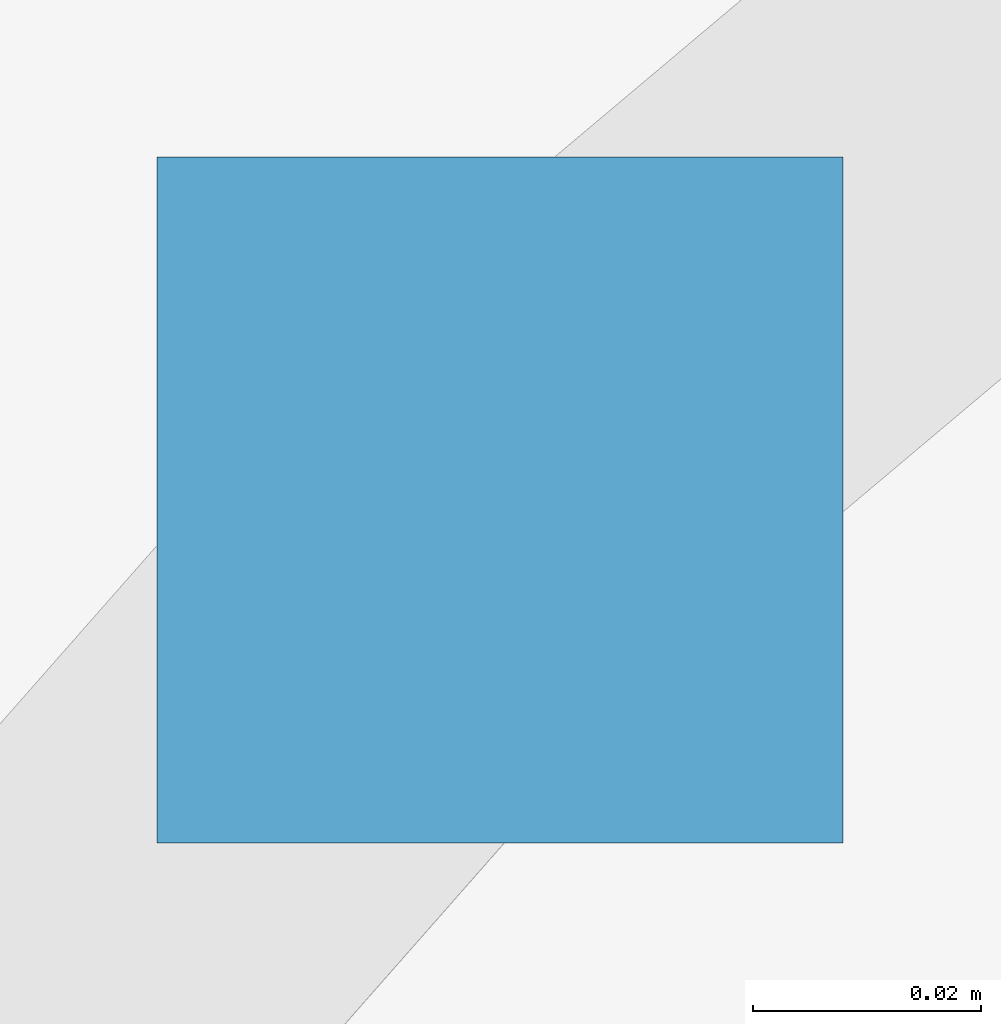
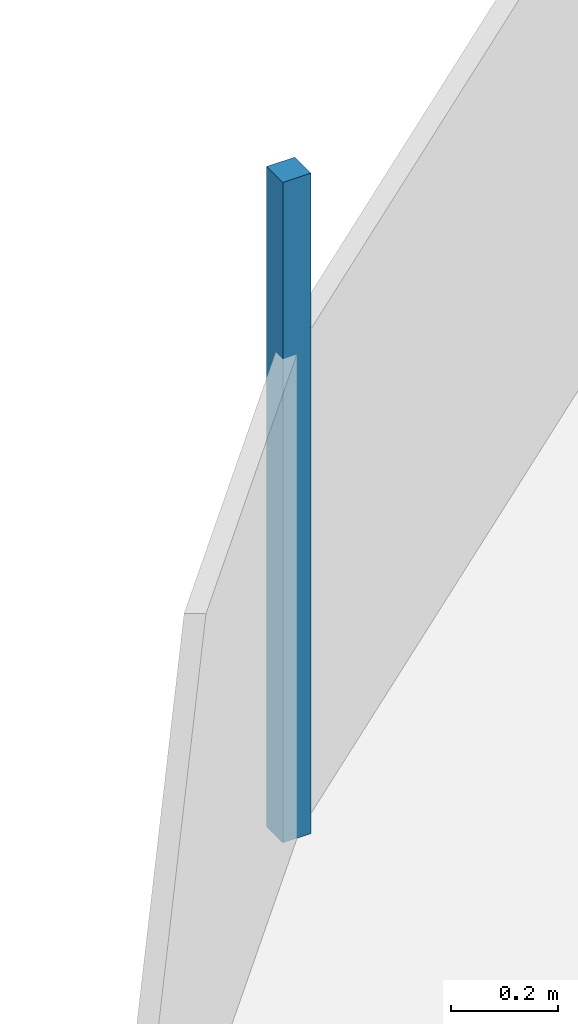
# One storey, part 7 of 9: 1 discrete accessory.
"""IFC4 building model written with IfcOpenShell, lengths in metres."""

from ifc_helpers import new_model, si_unit, direction, frame, origin, origin_2d, place, context, subcontext, project, spatial, rectangle, extrude, material, type_object, element, save


model = new_model("IFC4")

# Units and contexts
model_context = context("Model", 3, precision=1e-05, world=origin(), true_north=direction((0.0, 1.0)))
body_context = subcontext(model_context, "Body", "Model", "MODEL_VIEW")
ifc_project = project(units=[si_unit("LENGTHUNIT", "METRE"), si_unit("AREAUNIT", "SQUARE_METRE"), si_unit("VOLUMEUNIT", "CUBIC_METRE"), si_unit("PLANEANGLEUNIT", "RADIAN"), si_unit("MASSUNIT", "GRAM", prefix="KILO")], contexts=[model_context])

# Site, building, storey
site_placement = place(None, origin())
site = spatial("IfcSite", under=ifc_project, at=site_placement, CompositionType="ELEMENT")
building_placement = place(site_placement, origin())
building = spatial("IfcBuilding", under=site, at=building_placement, Name="Sierra Prisma Convention Tower", CompositionType="ELEMENT")
storey_placement = place(building_placement, frame((0.0, 0.0, 361.0)))
storey = spatial("IfcBuildingStorey", under=building, at=storey_placement, Name="Roof", CompositionType="ELEMENT", Elevation=361.0)

# Discrete accessory
ifc_material = material(Name="Copper")
discrete_accessory_type = type_object("IfcDiscreteAccessoryType", Name="Air terminal", PredefinedType="USERDEFINED", material=ifc_material)
discrete_accessory_placement = place(storey_placement, frame((-5.14013671875, 27.1357421875, 0.35009765625), z_axis=(0.0, 0.0, 1.0), x_axis=(1.0, 0.0, 0.0)))
element("IfcDiscreteAccessory", 1, at=discrete_accessory_placement, inside=storey, type_object=discrete_accessory_type, Name="Air terminal 28", ObjectType="AIR TERMINAL", PredefinedType="USERDEFINED", context=body_context, shape_type="SweptSolid", body=[
    extrude(rectangle(XDim=0.06005859375, YDim=0.06005859375, at=origin_2d()), origin(), (0.0, 0.0, 1.0), 1.5),
])

save(model, "model.ifc")
